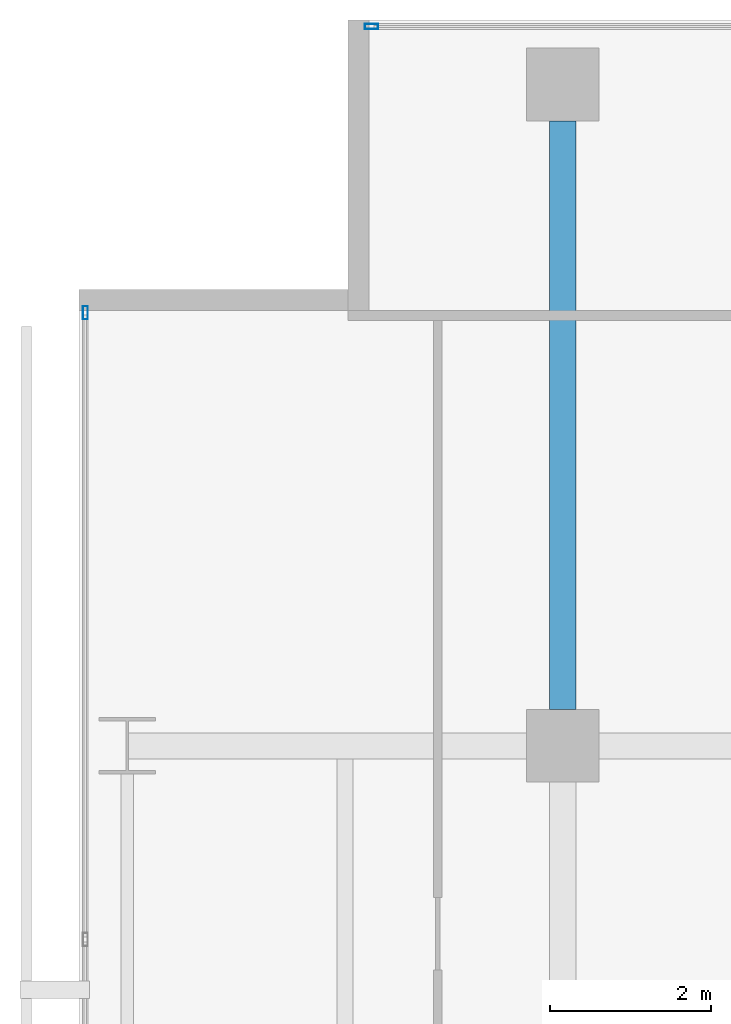
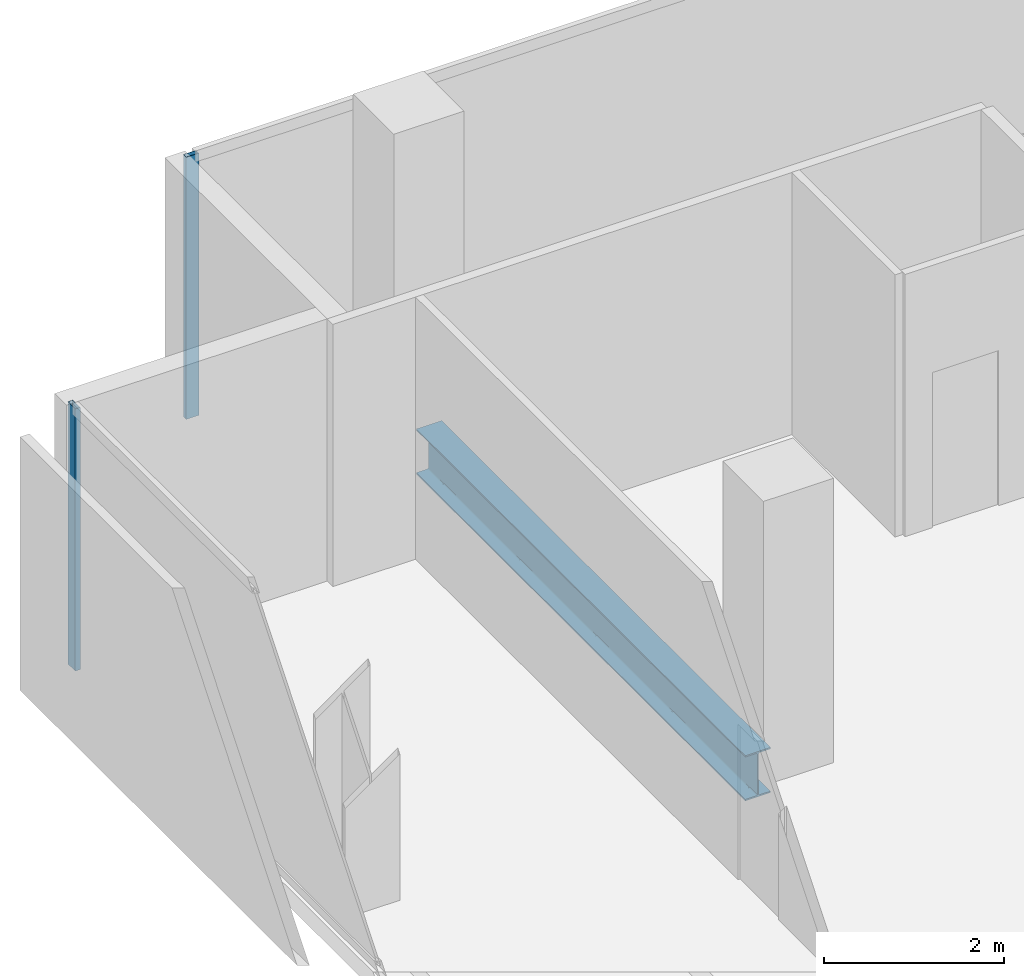
# One storey, part 25 of 39: 2 members, 1 beam, 2 elements without a shape of their own.
"""IFC4 building model written with IfcOpenShell, lengths in metres."""

from ifc_helpers import new_model, si_unit, direction, frame, origin, origin_2d, place, context, subcontext, project, spatial, hollow_rectangle, i_section, extrude, material, layer, layer_set, material_profile, profile_set, type_object, element, aggregate, save


model = new_model("IFC4")

# Units and contexts
model_context = context("Model", 3, precision=1e-05, world=origin(), true_north=direction((0.0, 1.0)))
body_context = subcontext(model_context, "Body", "Model", "MODEL_VIEW")
ifc_project = project(units=[si_unit("LENGTHUNIT", "METRE"), si_unit("AREAUNIT", "SQUARE_METRE"), si_unit("VOLUMEUNIT", "CUBIC_METRE"), si_unit("PLANEANGLEUNIT", "RADIAN"), si_unit("MASSUNIT", "GRAM", prefix="KILO")], contexts=[model_context])

# Site, building, storey
site_placement = place(None, origin())
site = spatial("IfcSite", under=ifc_project, at=site_placement, CompositionType="ELEMENT")
building_placement = place(site_placement, origin())
building = spatial("IfcBuilding", under=site, at=building_placement, Name="Maruvema Waterfront Hotel and Observation Tower", CompositionType="ELEMENT")
storey_placement = place(building_placement, frame((0.0, 0.0, 111.64990234375)))
storey = spatial("IfcBuildingStorey", under=building, at=storey_placement, Name="L27", CompositionType="ELEMENT", Elevation=111.64990234375)

# Curtain wall, member
ifc_material_1 = material(Name="Anodised bronze aluminium and solar-control low-E IGU", Category="aluminium")
ifc_layer = layer(ifc_material_1, 0.159912109375, Name="Zone 1 Bronze Inner Thermal Curtain Wall System CW-02")
ifc_layer_set = layer_set([ifc_layer], Name="Anodised bronze aluminium and solar-control low-E IGU")
curtain_wall_type = type_object("IfcCurtainWallType", Name="Zone 1 Bronze Inner Thermal Curtain Wall System CW-02", PredefinedType="USERDEFINED", material=ifc_layer_set)
curtain_wall_1_placement = place(storey_placement, origin())
curtain_wall_1 = element("IfcCurtainWall", 1, at=curtain_wall_1_placement, inside=storey, type_object=curtain_wall_type, Name="L27 Curtain Wall CW-L27-W", ObjectType="UNITISED CURTAIN WALL", PredefinedType="USERDEFINED")
ifc_material_2 = material(Name="Anodised architectural bronze aluminium", Category="aluminium")
ifc_material_profile_1 = material_profile(ifc_material_2, hollow_rectangle(XDim=0.06494140625, YDim=0.1650390625, WallThickness=0.00390625, at=origin_2d()), Name="ALU-M65x165")
ifc_profile_set_1 = profile_set([ifc_material_profile_1], Name="Anodised architectural bronze aluminium")
member_type = type_object("IfcMemberType", Name="Curtain Wall Primary Mullion ALU-M65x165", PredefinedType="MULLION", material=ifc_profile_set_1)
member_1_placement = place(storey_placement, frame((10.8798828125, 50.3701171875, 0.0), z_axis=(0.0, 0.0, 1.0), x_axis=(1.0, 0.0, 0.0)))
member_1 = element("IfcMember", 2, at=member_1_placement, type_object=member_type, Name="CW-02 mullion 1", PredefinedType="MULLION", context=body_context, shape_type="SweptSolid", body=[
    extrude(hollow_rectangle(XDim=0.06494140625, YDim=0.1650390625, WallThickness=0.00390625, at=origin_2d()), origin(), (0.0, 0.0, 1.0), 3.550048828125),
])
aggregate(curtain_wall_1, [member_1])

curtain_wall_2_placement = place(storey_placement, origin())
curtain_wall_2 = element("IfcCurtainWall", 3, at=curtain_wall_2_placement, inside=storey, type_object=curtain_wall_type, Name="L27 Curtain Wall CW-L27-NW", ObjectType="UNITISED CURTAIN WALL", PredefinedType="USERDEFINED")
member_2_placement = place(storey_placement, frame((14.429931640625, 53.919921875, 0.0), z_axis=(0.0, 0.0, 1.0), x_axis=(0.0, -1.0, 0.0)))
member_2 = element("IfcMember", 4, at=member_2_placement, type_object=member_type, Name="CW-02 mullion 2", PredefinedType="MULLION", context=body_context, shape_type="SweptSolid", body=[
    extrude(hollow_rectangle(XDim=0.06494140625, YDim=0.1650390625, WallThickness=0.00390625, at=origin_2d()), origin(), (0.0, 0.0, 1.0), 3.550048828125),
])
aggregate(curtain_wall_2, [member_2])

# Beam
ifc_material_3 = material(Name="Steel ASTM A572 Grade 50", Category="steel")
ifc_material_profile_2 = material_profile(ifc_material_3, i_section(OverallWidth=0.323974609375, OverallDepth=0.611083984375, WebThickness=0.0126953125, FlangeThickness=0.01904296875, FilletRadius=0.01806640625, at=origin_2d()), Name="W610x155.0")
ifc_profile_set_2 = profile_set([ifc_material_profile_2], Name="Steel ASTM A572 Grade 50")
beam_type = type_object("IfcBeamType", Name="Primary Floor Girder W610x155.0", PredefinedType="BEAM", material=ifc_profile_set_2)
beam_placement = place(storey_placement, frame((16.800048828125, 45.449951171875, -0.54541015625), z_axis=(0.0, 1.0, 0.0), x_axis=(-1.0, 0.0, 0.0)))
element("IfcBeam", 5, at=beam_placement, inside=storey, type_object=beam_type, Name="L27 Floor Girder NS-10", PredefinedType="BEAM", context=body_context, shape_type="SweptSolid", body=[
    extrude(i_section(OverallWidth=0.323974609375, OverallDepth=0.611083984375, WebThickness=0.0126953125, FlangeThickness=0.01904296875, FilletRadius=0.01806640625, at=origin_2d()), origin(), (0.0, 0.0, 1.0), 7.300048828125),
])

save(model, "model.ifc")
